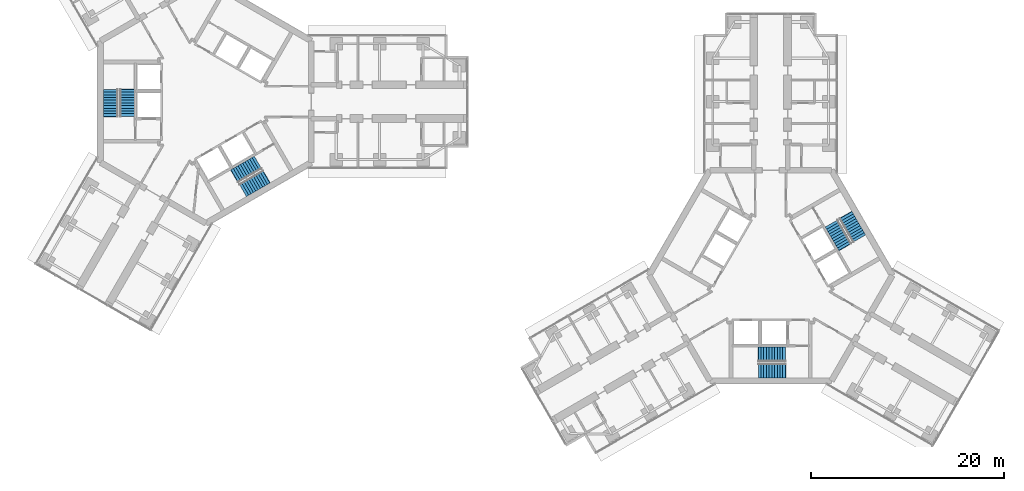
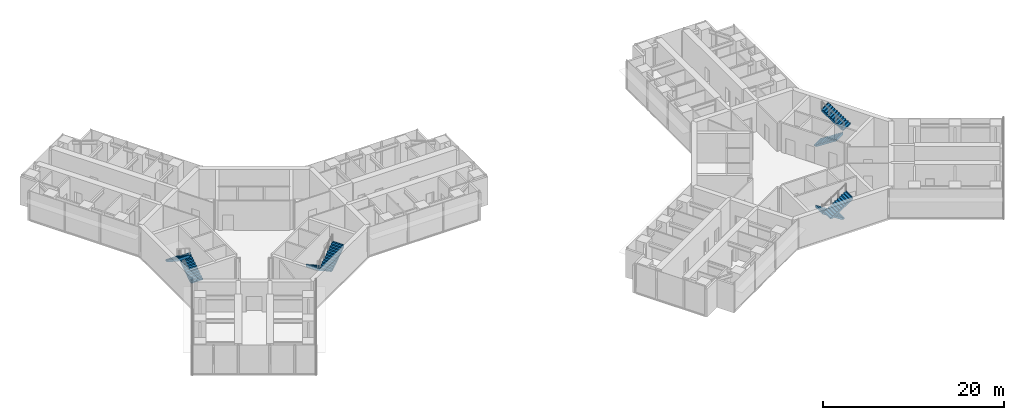
# One storey, part 21 of 22: 8 stair flights, 4 elements without a shape of their own.
"""IFC4 building model written with IfcOpenShell, lengths in metres."""

from ifc_helpers import new_model, si_unit, direction, frame, origin, place, context, subcontext, project, spatial, polyline, outline, extrude, material, type_object, element, aggregate, save


model = new_model("IFC4")

# Units and contexts
model_context = context("Model", 3, precision=1e-05, world=origin(), true_north=direction((0.0, 1.0)))
body_context = subcontext(model_context, "Body", "Model", "MODEL_VIEW")
ifc_project = project(units=[si_unit("LENGTHUNIT", "METRE"), si_unit("AREAUNIT", "SQUARE_METRE"), si_unit("VOLUMEUNIT", "CUBIC_METRE"), si_unit("PLANEANGLEUNIT", "RADIAN"), si_unit("MASSUNIT", "GRAM", prefix="KILO")], contexts=[model_context])

# Site, building, storey
site_placement = place(None, origin())
site = spatial("IfcSite", under=ifc_project, at=site_placement, CompositionType="ELEMENT")
building_placement = place(site_placement, origin())
building = spatial("IfcBuilding", under=site, at=building_placement, Name="Upepo Twin Towers", CompositionType="ELEMENT")
storey_placement = place(building_placement, frame((0.0, 0.0, 129.5)))
storey = spatial("IfcBuildingStorey", under=building, at=storey_placement, Name="L31", CompositionType="ELEMENT", Elevation=129.5)

# Stair, stair flights
ifc_material_1 = material(Name="Concrete C40/50", Category="concrete")
stair_type = type_object("IfcStairType", Name="Core stair, two flights", PredefinedType="HALF_TURN_STAIR", material=ifc_material_1)
stair_1_placement = place(storey_placement, origin())
stair_1 = element("IfcStair", 1, at=stair_1_placement, inside=storey, type_object=stair_type, Name="T1 stair S1 L31", PredefinedType="HALF_TURN_STAIR")
ifc_material_2 = material(Name="Concrete C40/50", Category="concrete")
stair_flight_type = type_object("IfcStairFlightType", Name="Stair flight 1500 RC", PredefinedType="STRAIGHT", material=ifc_material_2)
stair_flight_1_placement = place(storey_placement, frame((-8.14990234375, -1.52001953125, 0.0), z_axis=(0.0, 0.0, 1.0), x_axis=(0.0, 1.0, 0.0)))
stair_flight_1 = element("IfcStairFlight", 2, at=stair_flight_1_placement, type_object=stair_flight_type, Name="Stair S1 flight 1", NumberOfRisers=11, NumberOfTreads=10, PredefinedType="STRAIGHT", RiserHeight=0.181818182, TreadLength=0.28, context=body_context, shape_type="SweptSolid", body=[
    extrude(outline(polyline([(0.0, 0.0), (0.0, 0.181884765625), (0.280029296875, 0.181884765625), (0.280029296875, 0.363525390625), (0.56005859375, 0.363525390625), (0.56005859375, 0.54541015625), (0.840087890625, 0.54541015625), (0.840087890625, 0.727294921875), (1.1201171875, 0.727294921875), (1.1201171875, 0.9091796875), (1.39990234375, 0.9091796875), (1.39990234375, 1.0908203125), (1.679931640625, 1.0908203125), (1.679931640625, 1.272705078125), (1.9599609375, 1.272705078125), (1.9599609375, 1.45458984375), (2.239990234375, 1.45458984375), (2.239990234375, 1.636474609375), (2.52001953125, 1.636474609375), (2.52001953125, 1.818115234375), (2.800048828125, 1.818115234375), (2.800048828125, 2.0), (2.85009765625, 2.0), (2.85009765625, 1.639404296875), (0.3251953125, 0.0), (0.0, 0.0)])), frame((0.0, 0.75, 0.0), z_axis=(0.0, -1.0, 0.0), x_axis=(1.0, 0.0, 0.0)), (0.0, 0.0, 1.0), 1.5),
])
stair_flight_2_placement = place(storey_placement, frame((-9.8583984375, 1.280029296875, 2.0), z_axis=(0.0, 0.0, 1.0), x_axis=(0.0, -1.0, 0.0)))
stair_flight_2 = element("IfcStairFlight", 3, at=stair_flight_2_placement, type_object=stair_flight_type, Name="Stair S1 flight 2", NumberOfRisers=11, NumberOfTreads=10, PredefinedType="STRAIGHT", RiserHeight=0.181818182, TreadLength=0.28, context=body_context, shape_type="SweptSolid", body=[
    extrude(outline(polyline([(0.0, 0.0), (0.0, 0.181884765625), (0.280029296875, 0.181884765625), (0.280029296875, 0.363525390625), (0.56005859375, 0.363525390625), (0.56005859375, 0.54541015625), (0.840087890625, 0.54541015625), (0.840087890625, 0.727294921875), (1.1201171875, 0.727294921875), (1.1201171875, 0.9091796875), (1.39990234375, 0.9091796875), (1.39990234375, 1.0908203125), (1.679931640625, 1.0908203125), (1.679931640625, 1.272705078125), (1.9599609375, 1.272705078125), (1.9599609375, 1.45458984375), (2.239990234375, 1.45458984375), (2.239990234375, 1.636474609375), (2.52001953125, 1.636474609375), (2.52001953125, 1.818115234375), (2.800048828125, 1.818115234375), (2.800048828125, 2.0), (2.85009765625, 2.0), (2.85009765625, 1.639404296875), (0.3251953125, 0.0), (0.0, 0.0)])), frame((0.0, 0.75, 0.0), z_axis=(0.0, -1.0, 0.0), x_axis=(1.0, 0.0, 0.0)), (0.0, 0.0, 1.0), 1.5),
])
aggregate(stair_1, [stair_flight_1, stair_flight_2])

stair_2_placement = place(storey_placement, origin())
stair_2 = element("IfcStair", 4, at=stair_2_placement, inside=storey, type_object=stair_type, Name="T1 stair S2 L31", PredefinedType="HALF_TURN_STAIR")
stair_flight_3_placement = place(storey_placement, frame((5.391357421875, -6.298095703125, 0.0), z_axis=(0.0, 0.0, 1.0), x_axis=(-0.866025403784, -0.5, 0.0)))
stair_flight_3 = element("IfcStairFlight", 5, at=stair_flight_3_placement, type_object=stair_flight_type, Name="Stair S2 flight 1", NumberOfRisers=11, NumberOfTreads=10, PredefinedType="STRAIGHT", RiserHeight=0.181818182, TreadLength=0.28, context=body_context, shape_type="SweptSolid", body=[
    extrude(outline(polyline([(0.0, 0.0), (0.0, 0.181884765625), (0.280029296875, 0.181884765625), (0.280029296875, 0.363525390625), (0.56005859375, 0.363525390625), (0.56005859375, 0.54541015625), (0.840087890625, 0.54541015625), (0.840087890625, 0.727294921875), (1.1201171875, 0.727294921875), (1.1201171875, 0.9091796875), (1.39990234375, 0.9091796875), (1.39990234375, 1.0908203125), (1.679931640625, 1.0908203125), (1.679931640625, 1.272705078125), (1.9599609375, 1.272705078125), (1.9599609375, 1.45458984375), (2.239990234375, 1.45458984375), (2.239990234375, 1.636474609375), (2.52001953125, 1.636474609375), (2.52001953125, 1.818115234375), (2.800048828125, 1.818115234375), (2.800048828125, 2.0), (2.85009765625, 2.0), (2.85009765625, 1.639404296875), (0.3251953125, 0.0), (0.0, 0.0)])), frame((0.0, 0.75, 0.0), z_axis=(0.0, -1.0, 0.0), x_axis=(1.0, 0.0, 0.0)), (0.0, 0.0, 1.0), 1.5),
])
stair_flight_4_placement = place(storey_placement, frame((3.820556640625, -9.177490234375, 2.0), z_axis=(0.0, 0.0, 1.0), x_axis=(0.866025403784, 0.5, 0.0)))
stair_flight_4 = element("IfcStairFlight", 6, at=stair_flight_4_placement, type_object=stair_flight_type, Name="Stair S2 flight 2", NumberOfRisers=11, NumberOfTreads=10, PredefinedType="STRAIGHT", RiserHeight=0.181818182, TreadLength=0.28, context=body_context, shape_type="SweptSolid", body=[
    extrude(outline(polyline([(0.0, 0.0), (0.0, 0.181884765625), (0.280029296875, 0.181884765625), (0.280029296875, 0.363525390625), (0.56005859375, 0.363525390625), (0.56005859375, 0.54541015625), (0.840087890625, 0.54541015625), (0.840087890625, 0.727294921875), (1.1201171875, 0.727294921875), (1.1201171875, 0.9091796875), (1.39990234375, 0.9091796875), (1.39990234375, 1.0908203125), (1.679931640625, 1.0908203125), (1.679931640625, 1.272705078125), (1.9599609375, 1.272705078125), (1.9599609375, 1.45458984375), (2.239990234375, 1.45458984375), (2.239990234375, 1.636474609375), (2.52001953125, 1.636474609375), (2.52001953125, 1.818115234375), (2.800048828125, 1.818115234375), (2.800048828125, 2.0), (2.85009765625, 2.0), (2.85009765625, 1.639404296875), (0.3251953125, 0.0), (0.0, 0.0)])), frame((0.0, 0.75, 0.0), z_axis=(0.0, -1.0, 0.0), x_axis=(1.0, 0.0, 0.0)), (0.0, 0.0, 1.0), 1.5),
])
aggregate(stair_2, [stair_flight_3, stair_flight_4])

stair_3_placement = place(storey_placement, origin())
stair_3 = element("IfcStair", 7, at=stair_3_placement, inside=storey, type_object=stair_type, Name="T2 stair S1 L31", PredefinedType="HALF_TURN_STAIR")
stair_flight_5_placement = place(storey_placement, frame((60.02001953125, -26.14990234375, 0.0), z_axis=(0.0, 0.0, 1.0), x_axis=(-1.0, 0.0, 0.0)))
stair_flight_5 = element("IfcStairFlight", 8, at=stair_flight_5_placement, type_object=stair_flight_type, Name="Stair S1 flight 1", NumberOfRisers=11, NumberOfTreads=10, PredefinedType="STRAIGHT", RiserHeight=0.181818182, TreadLength=0.28, context=body_context, shape_type="SweptSolid", body=[
    extrude(outline(polyline([(0.0, 0.0), (0.0, 0.181884765625), (0.280029296875, 0.181884765625), (0.280029296875, 0.363525390625), (0.56005859375, 0.363525390625), (0.56005859375, 0.54541015625), (0.840087890625, 0.54541015625), (0.840087890625, 0.727294921875), (1.1201171875, 0.727294921875), (1.1201171875, 0.9091796875), (1.39990234375, 0.9091796875), (1.39990234375, 1.0908203125), (1.679931640625, 1.0908203125), (1.679931640625, 1.272705078125), (1.9599609375, 1.272705078125), (1.9599609375, 1.45458984375), (2.239990234375, 1.45458984375), (2.239990234375, 1.636474609375), (2.52001953125, 1.636474609375), (2.52001953125, 1.818115234375), (2.800048828125, 1.818115234375), (2.800048828125, 2.0), (2.85009765625, 2.0), (2.85009765625, 1.639404296875), (0.3251953125, 0.0), (0.0, 0.0)])), frame((0.0, 0.75, 0.0), z_axis=(0.0, -1.0, 0.0), x_axis=(1.0, 0.0, 0.0)), (0.0, 0.0, 1.0), 1.5),
])
stair_flight_6_placement = place(storey_placement, frame((57.219970703125, -27.8583984375, 2.0), z_axis=(0.0, 0.0, 1.0), x_axis=(1.0, 0.0, 0.0)))
stair_flight_6 = element("IfcStairFlight", 9, at=stair_flight_6_placement, type_object=stair_flight_type, Name="Stair S1 flight 2", NumberOfRisers=11, NumberOfTreads=10, PredefinedType="STRAIGHT", RiserHeight=0.181818182, TreadLength=0.28, context=body_context, shape_type="SweptSolid", body=[
    extrude(outline(polyline([(0.0, 0.0), (0.0, 0.181884765625), (0.280029296875, 0.181884765625), (0.280029296875, 0.363525390625), (0.56005859375, 0.363525390625), (0.56005859375, 0.54541015625), (0.840087890625, 0.54541015625), (0.840087890625, 0.727294921875), (1.1201171875, 0.727294921875), (1.1201171875, 0.9091796875), (1.39990234375, 0.9091796875), (1.39990234375, 1.0908203125), (1.679931640625, 1.0908203125), (1.679931640625, 1.272705078125), (1.9599609375, 1.272705078125), (1.9599609375, 1.45458984375), (2.239990234375, 1.45458984375), (2.239990234375, 1.636474609375), (2.52001953125, 1.636474609375), (2.52001953125, 1.818115234375), (2.800048828125, 1.818115234375), (2.800048828125, 2.0), (2.85009765625, 2.0), (2.85009765625, 1.639404296875), (0.3251953125, 0.0), (0.0, 0.0)])), frame((0.0, 0.75, 0.0), z_axis=(0.0, -1.0, 0.0), x_axis=(1.0, 0.0, 0.0)), (0.0, 0.0, 1.0), 1.5),
])
aggregate(stair_3, [stair_flight_5, stair_flight_6])

stair_4_placement = place(storey_placement, origin())
stair_4 = element("IfcStair", 10, at=stair_4_placement, inside=storey, type_object=stair_type, Name="T2 stair S2 L31", PredefinedType="HALF_TURN_STAIR")
stair_flight_7_placement = place(storey_placement, frame((64.798095703125, -12.608642578125, 0.0), z_axis=(0.0, 0.0, 1.0), x_axis=(0.5, -0.866025403784, 0.0)))
stair_flight_7 = element("IfcStairFlight", 11, at=stair_flight_7_placement, type_object=stair_flight_type, Name="Stair S2 flight 1", NumberOfRisers=11, NumberOfTreads=10, PredefinedType="STRAIGHT", RiserHeight=0.181818182, TreadLength=0.28, context=body_context, shape_type="SweptSolid", body=[
    extrude(outline(polyline([(0.0, 0.0), (0.0, 0.181884765625), (0.280029296875, 0.181884765625), (0.280029296875, 0.363525390625), (0.56005859375, 0.363525390625), (0.56005859375, 0.54541015625), (0.840087890625, 0.54541015625), (0.840087890625, 0.727294921875), (1.1201171875, 0.727294921875), (1.1201171875, 0.9091796875), (1.39990234375, 0.9091796875), (1.39990234375, 1.0908203125), (1.679931640625, 1.0908203125), (1.679931640625, 1.272705078125), (1.9599609375, 1.272705078125), (1.9599609375, 1.45458984375), (2.239990234375, 1.45458984375), (2.239990234375, 1.636474609375), (2.52001953125, 1.636474609375), (2.52001953125, 1.818115234375), (2.800048828125, 1.818115234375), (2.800048828125, 2.0), (2.85009765625, 2.0), (2.85009765625, 1.639404296875), (0.3251953125, 0.0), (0.0, 0.0)])), frame((0.0, 0.75, 0.0), z_axis=(0.0, -1.0, 0.0), x_axis=(1.0, 0.0, 0.0)), (0.0, 0.0, 1.0), 1.5),
])
stair_flight_8_placement = place(storey_placement, frame((67.677490234375, -14.179443359375, 2.0), z_axis=(0.0, 0.0, 1.0), x_axis=(-0.5, 0.866025403784, 0.0)))
stair_flight_8 = element("IfcStairFlight", 12, at=stair_flight_8_placement, type_object=stair_flight_type, Name="Stair S2 flight 2", NumberOfRisers=11, NumberOfTreads=10, PredefinedType="STRAIGHT", RiserHeight=0.181818182, TreadLength=0.28, context=body_context, shape_type="SweptSolid", body=[
    extrude(outline(polyline([(0.0, 0.0), (0.0, 0.181884765625), (0.280029296875, 0.181884765625), (0.280029296875, 0.363525390625), (0.56005859375, 0.363525390625), (0.56005859375, 0.54541015625), (0.840087890625, 0.54541015625), (0.840087890625, 0.727294921875), (1.1201171875, 0.727294921875), (1.1201171875, 0.9091796875), (1.39990234375, 0.9091796875), (1.39990234375, 1.0908203125), (1.679931640625, 1.0908203125), (1.679931640625, 1.272705078125), (1.9599609375, 1.272705078125), (1.9599609375, 1.45458984375), (2.239990234375, 1.45458984375), (2.239990234375, 1.636474609375), (2.52001953125, 1.636474609375), (2.52001953125, 1.818115234375), (2.800048828125, 1.818115234375), (2.800048828125, 2.0), (2.85009765625, 2.0), (2.85009765625, 1.639404296875), (0.3251953125, 0.0), (0.0, 0.0)])), frame((0.0, 0.75, 0.0), z_axis=(0.0, -1.0, 0.0), x_axis=(1.0, 0.0, 0.0)), (0.0, 0.0, 1.0), 1.5),
])
aggregate(stair_4, [stair_flight_7, stair_flight_8])

save(model, "model.ifc")
